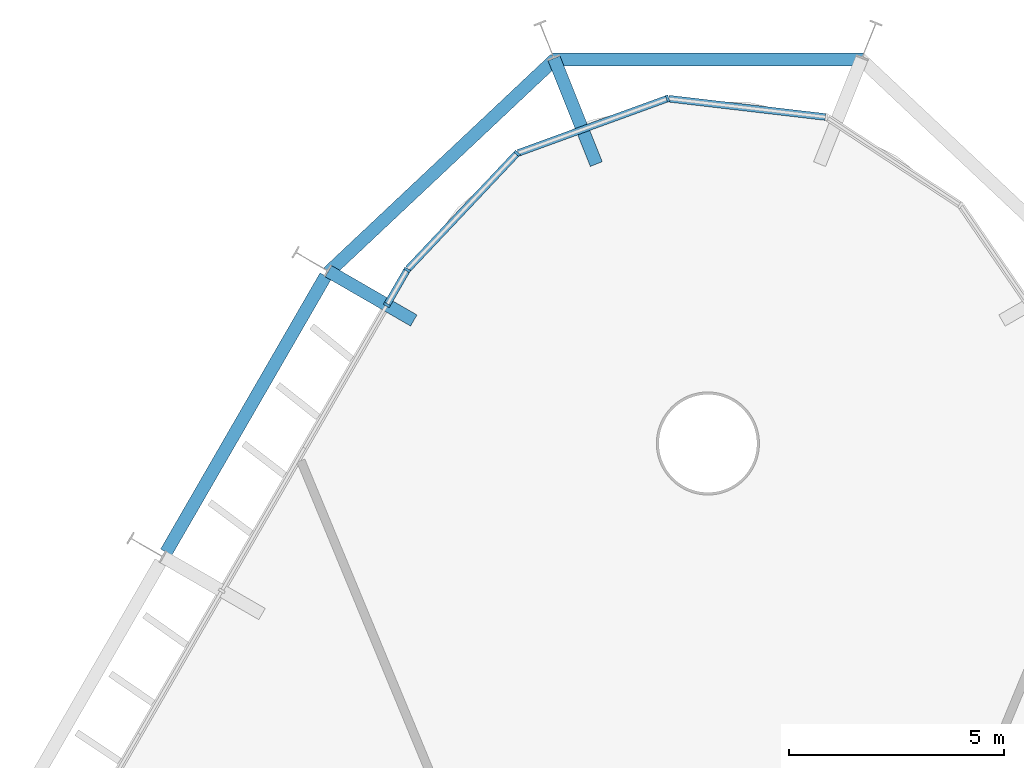
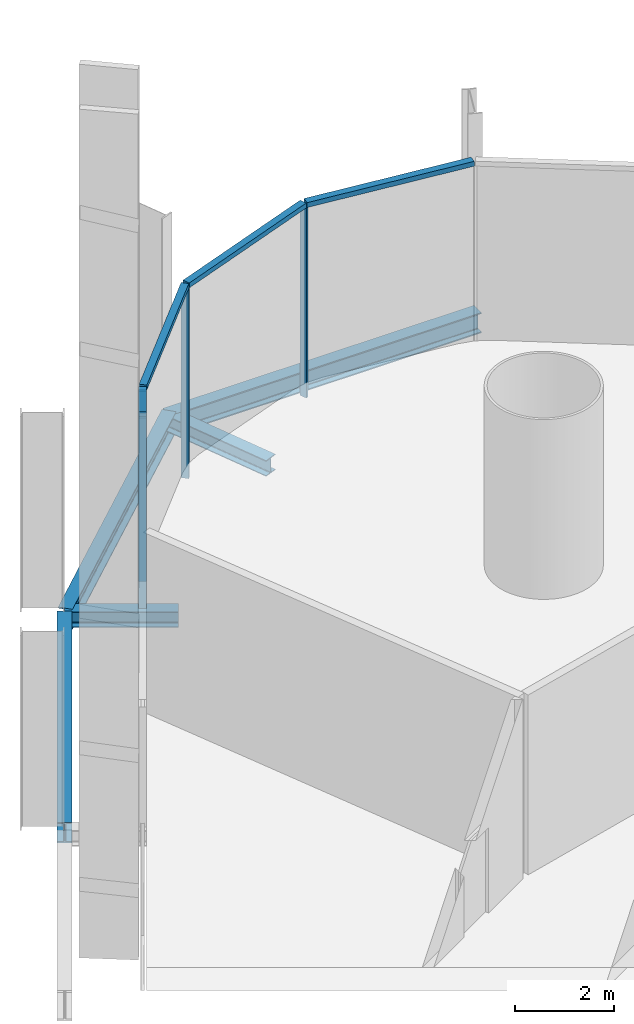
# One storey, part 9 of 17: 8 members, 5 beams, 2 elements without a shape of their own.
"""IFC4 building model written with IfcOpenShell, lengths in metres."""

from ifc_helpers import new_model, si_unit, direction, frame, origin, origin_2d, place, context, subcontext, project, spatial, rectangle, i_section, extrude, material, layer, layer_set, material_profile, profile_set, type_object, element, aggregate, save


model = new_model("IFC4")

# Units and contexts
model_context = context("Model", 3, precision=1e-05, world=origin(), true_north=direction((0.0, 1.0)))
body_context = subcontext(model_context, "Body", "Model", "MODEL_VIEW")
ifc_project = project(units=[si_unit("LENGTHUNIT", "METRE"), si_unit("AREAUNIT", "SQUARE_METRE"), si_unit("VOLUMEUNIT", "CUBIC_METRE"), si_unit("PLANEANGLEUNIT", "RADIAN"), si_unit("MASSUNIT", "GRAM", prefix="KILO")], contexts=[model_context])

# Site, building, storey
site_placement = place(None, origin())
site = spatial("IfcSite", under=ifc_project, at=site_placement, CompositionType="ELEMENT")
building_placement = place(site_placement, origin())
building = spatial("IfcBuilding", under=site, at=building_placement, Name="Spindle Arch Residences", CompositionType="ELEMENT")
storey_placement = place(building_placement, frame((0.0, 0.0, 18.60009765625)))
storey = spatial("IfcBuildingStorey", under=building, at=storey_placement, Name="L03", CompositionType="ELEMENT", Elevation=18.60009765625)

# Curtain wall, members
ifc_material_1 = material(Name="Aluminium bronze unitised frame with tinted glass", Category="aluminium")
ifc_layer_1 = layer(ifc_material_1, 0.159912109375)
ifc_layer_set_1 = layer_set([ifc_layer_1], Name="CW-D corner wall on the fillet arcs")
curtain_wall_type_1 = type_object("IfcCurtainWallType", Name="CW-D corner wall on the fillet arcs", PredefinedType="NOTDEFINED", material=ifc_layer_set_1)
curtain_wall_1_placement = place(storey_placement, origin())
curtain_wall_1 = element("IfcCurtainWall", 1, at=curtain_wall_1_placement, inside=storey, type_object=curtain_wall_type_1, Name="CW-D L03 run 3", PredefinedType="NOTDEFINED")
ifc_material_2 = material(Name="Aluminium bronze anodised mullion", Category="aluminium")
ifc_material_profile_1 = material_profile(ifc_material_2, rectangle(XDim=0.159912109375, YDim=0.06005859375, at=origin_2d()), Name="MU 60x160")
ifc_profile_set_1 = profile_set([ifc_material_profile_1], Name="Aluminium bronze anodised mullion")
member_type_1 = type_object("IfcMemberType", Name="Bronze mullion 60x160", PredefinedType="MULLION", material=ifc_profile_set_1)
member_1_placement = place(storey_placement, frame((-0.93798828125, 31.28515625, -0.380126953125), z_axis=(0.0, 0.0, 1.0), x_axis=(0.342020141538, -0.939692621437, 0.0)))
member_1 = element("IfcMember", 2, at=member_1_placement, type_object=member_type_1, Name="CW-D mullion 03", PredefinedType="MULLION", context=body_context, shape_type="SweptSolid", body=[
    extrude(rectangle(XDim=0.159912109375, YDim=0.06005859375, at=origin_2d()), origin(), (0.0, 0.0, 1.0), 4.679931640625),
])
member_2_placement = place(storey_placement, frame((-4.43994140625, 30.010498046875, -0.380126953125), z_axis=(0.0, 0.0, 1.0), x_axis=(0.727373640284, -0.686241639236, 0.0)))
member_2 = element("IfcMember", 3, at=member_2_placement, type_object=member_type_1, Name="CW-D mullion 04", PredefinedType="MULLION", context=body_context, shape_type="SweptSolid", body=[
    extrude(rectangle(XDim=0.159912109375, YDim=0.06005859375, at=origin_2d()), origin(), (0.0, 0.0, 1.0), 4.679931640625),
])
member_3_placement = place(storey_placement, frame((-6.99755859375, 27.2998046875, -0.380126953125), z_axis=(0.0, 0.0, 1.0), x_axis=(0.866025403784, -0.5, 0.0)))
member_3 = element("IfcMember", 4, at=member_3_placement, type_object=member_type_1, Name="CW-D mullion 05", PredefinedType="MULLION", context=body_context, shape_type="SweptSolid", body=[
    extrude(rectangle(XDim=0.159912109375, YDim=0.06005859375, at=origin_2d()), origin(), (0.0, 0.0, 1.0), 4.679931640625),
])

# Curtain wall, member
ifc_material_3 = material(Name="Aluminium bronze unitised frame with tinted glass", Category="aluminium")
ifc_layer_2 = layer(ifc_material_3, 0.159912109375)
ifc_layer_set_2 = layer_set([ifc_layer_2], Name="CW-B amenity podium glazed wall")
curtain_wall_type_2 = type_object("IfcCurtainWallType", Name="CW-B amenity podium glazed wall", PredefinedType="NOTDEFINED", material=ifc_layer_set_2)
curtain_wall_2_placement = place(storey_placement, origin())
curtain_wall_2 = element("IfcCurtainWall", 5, at=curtain_wall_2_placement, inside=storey, type_object=curtain_wall_type_2, Name="CW-B L03 run 4", PredefinedType="NOTDEFINED")
member_4_placement = place(storey_placement, frame((-7.46923828125, 26.48291015625, -0.380126953125), z_axis=(0.0, 0.0, 1.0), x_axis=(0.866025403784, -0.5, 0.0)))
member_4 = element("IfcMember", 6, at=member_4_placement, type_object=member_type_1, Name="CW-B mullion 13", PredefinedType="MULLION", context=body_context, shape_type="SweptSolid", body=[
    extrude(rectangle(XDim=0.159912109375, YDim=0.06005859375, at=origin_2d()), origin(), (0.0, 0.0, 1.0), 4.679931640625),
])
aggregate(curtain_wall_2, [member_4])

# Member
ifc_material_4 = material(Name="Aluminium bronze anodised transom", Category="aluminium")
ifc_material_profile_2 = material_profile(ifc_material_4, rectangle(XDim=0.159912109375, YDim=0.1201171875, at=origin_2d()), Name="TR 120x160")
ifc_profile_set_2 = profile_set([ifc_material_profile_2], Name="Aluminium bronze anodised transom")
member_type_2 = type_object("IfcMemberType", Name="Bronze transom 120x160", PredefinedType="USERDEFINED", material=ifc_profile_set_2)
member_5_placement = place(storey_placement, frame((2.733642578125, 30.85595703125, 4.35986328125), z_axis=(-0.993234881174, 0.116122654204, 0.0), x_axis=(-0.116122654204, -0.993234881174, 0.0)))
member_5 = element("IfcMember", 7, at=member_5_placement, type_object=member_type_2, Name="CW-D transom 02", ObjectType="TRANSOM", PredefinedType="USERDEFINED", context=body_context, shape_type="SweptSolid", body=[
    extrude(rectangle(XDim=0.159912109375, YDim=0.1201171875, at=origin_2d()), origin(), (0.0, 0.0, 1.0), 3.666748046875),
])

member_6_placement = place(storey_placement, frame((-0.96630859375, 31.27490234375, 4.35986328125), z_axis=(-0.939686455819, -0.342037080957, 0.0), x_axis=(0.342037080957, -0.939686455819, 0.0)))
member_6 = element("IfcMember", 8, at=member_6_placement, type_object=member_type_2, Name="CW-D transom 03", ObjectType="TRANSOM", PredefinedType="USERDEFINED", context=body_context, shape_type="SweptSolid", body=[
    extrude(rectangle(XDim=0.159912109375, YDim=0.1201171875, at=origin_2d()), origin(), (0.0, 0.0, 1.0), 3.666748046875),
])

member_7_placement = place(storey_placement, frame((-4.460693359375, 29.98876953125, 4.35986328125), z_axis=(-0.686199156324, -0.727413718498, 0.0), x_axis=(0.727413718498, -0.686199156324, 0.0)))
member_7 = element("IfcMember", 9, at=member_7_placement, type_object=member_type_2, Name="CW-D transom 04", ObjectType="TRANSOM", PredefinedType="USERDEFINED", context=body_context, shape_type="SweptSolid", body=[
    extrude(rectangle(XDim=0.159912109375, YDim=0.1201171875, at=origin_2d()), origin(), (0.0, 0.0, 1.0), 3.666748046875),
])

member_8_placement = place(storey_placement, frame((-7.012451171875, 27.27392578125, 4.35986328125), z_axis=(-0.499913830031, -0.866075148324, 0.0), x_axis=(0.866075148324, -0.499913830031, 0.0)))
member_8 = element("IfcMember", 10, at=member_8_placement, type_object=member_type_2, Name="CW-D transom 05", ObjectType="TRANSOM", PredefinedType="USERDEFINED", context=body_context, shape_type="SweptSolid", body=[
    extrude(rectangle(XDim=0.159912109375, YDim=0.1201171875, at=origin_2d()), origin(), (0.0, 0.0, 1.0), 0.883544921875),
])

aggregate(curtain_wall_1, [member_5, member_1, member_6, member_2, member_7, member_3, member_8])

# Beams
ifc_material_5 = material(Name="Steel S460ML, intumescent coating R 120", Category="steel")
ifc_material_profile_3 = material_profile(ifc_material_5, i_section(OverallWidth=0.300048828125, OverallDepth=0.5, WebThickness=0.014404296875, FlangeThickness=0.028076171875, FilletRadius=0.027099609375, at=origin_2d()), Name="HEB 500")
ifc_profile_set_3 = profile_set([ifc_material_profile_3], Name="Steel S460ML, intumescent coating R 120")
beam_type_1 = type_object("IfcBeamType", Name="Exoskeleton edge beam HEB 500", PredefinedType="BEAM", material=ifc_profile_set_3)
beam_1_placement = place(storey_placement, frame((3.6181640625, 32.188720703125, -0.630126953125), z_axis=(-1.0, 0.0, 0.0), x_axis=(0.0, -1.0, 0.0)))
element("IfcBeam", 11, at=beam_1_placement, inside=storey, type_object=beam_type_1, Name="Exoskeleton edge beam 12", PredefinedType="BEAM", context=body_context, shape_type="SweptSolid", body=[
    extrude(i_section(OverallWidth=0.300048828125, OverallDepth=0.5, WebThickness=0.014404296875, FlangeThickness=0.028076171875, FilletRadius=0.027099609375, at=origin_2d()), origin(), (0.0, 0.0, 1.0), 7.236328125),
])
beam_2_placement = place(storey_placement, frame((-3.54833984375, 32.20947265625, -0.630126953125), z_axis=(-0.728377909202, -0.685175613538, 0.0), x_axis=(0.685175613538, -0.728377909202, 0.0)))
element("IfcBeam", 12, at=beam_2_placement, inside=storey, type_object=beam_type_1, Name="Exoskeleton edge beam 13", PredefinedType="BEAM", context=body_context, shape_type="SweptSolid", body=[
    extrude(i_section(OverallWidth=0.300048828125, OverallDepth=0.5, WebThickness=0.014404296875, FlangeThickness=0.028076171875, FilletRadius=0.027099609375, at=origin_2d()), origin(), (0.0, 0.0, 1.0), 7.250244140625),
])
beam_3_placement = place(storey_placement, frame((-8.893798828125, 27.1552734375, -0.630126953125), z_axis=(-0.5000139068, -0.866017374541, 0.0), x_axis=(0.866017374541, -0.5000139068, 0.0)))
element("IfcBeam", 13, at=beam_3_placement, inside=storey, type_object=beam_type_1, Name="Exoskeleton edge beam 14", PredefinedType="BEAM", context=body_context, shape_type="SweptSolid", body=[
    extrude(i_section(OverallWidth=0.300048828125, OverallDepth=0.5, WebThickness=0.014404296875, FlangeThickness=0.028076171875, FilletRadius=0.027099609375, at=origin_2d()), origin(), (0.0, 0.0, 1.0), 7.420166015625),
])
ifc_material_6 = material(Name="Steel S460ML, intumescent coating R 120", Category="steel")
ifc_material_profile_4 = material_profile(ifc_material_6, i_section(OverallWidth=0.300048828125, OverallDepth=0.389892578125, WebThickness=0.010986328125, FlangeThickness=0.01904296875, FilletRadius=0.027099609375, at=origin_2d()), Name="HEA 400")
ifc_profile_set_4 = profile_set([ifc_material_profile_4], Name="Steel S460ML, intumescent coating R 120")
beam_type_2 = type_object("IfcBeamType", Name="Floor outrigger HEA 400", PredefinedType="BEAM", material=ifc_profile_set_4)
beam_4_placement = place(storey_placement, frame((-3.581298828125, 32.220703125, -0.5751953125), z_axis=(0.371104734129, -0.928591016706, 0.0), x_axis=(0.928591016706, 0.371104734129, 0.0)))
element("IfcBeam", 14, at=beam_4_placement, inside=storey, type_object=beam_type_2, Name="Floor outrigger 13", PredefinedType="BEAM", context=body_context, shape_type="SweptSolid", body=[
    extrude(i_section(OverallWidth=0.300048828125, OverallDepth=0.389892578125, WebThickness=0.010986328125, FlangeThickness=0.01904296875, FilletRadius=0.027099609375, at=origin_2d()), origin(), (0.0, 0.0, 1.0), 2.64990234375),
])
beam_5_placement = place(storey_placement, frame((-8.828857421875, 27.267822265625, -0.5751953125), z_axis=(0.866020755578, -0.500008050843, 0.0), x_axis=(0.500008050843, 0.866020755578, 0.0)))
element("IfcBeam", 15, at=beam_5_placement, inside=storey, type_object=beam_type_2, Name="Floor outrigger 14", PredefinedType="BEAM", context=body_context, shape_type="SweptSolid", body=[
    extrude(i_section(OverallWidth=0.300048828125, OverallDepth=0.389892578125, WebThickness=0.010986328125, FlangeThickness=0.01904296875, FilletRadius=0.027099609375, at=origin_2d()), origin(), (0.0, 0.0, 1.0), 2.2939453125),
])

save(model, "model.ifc")
